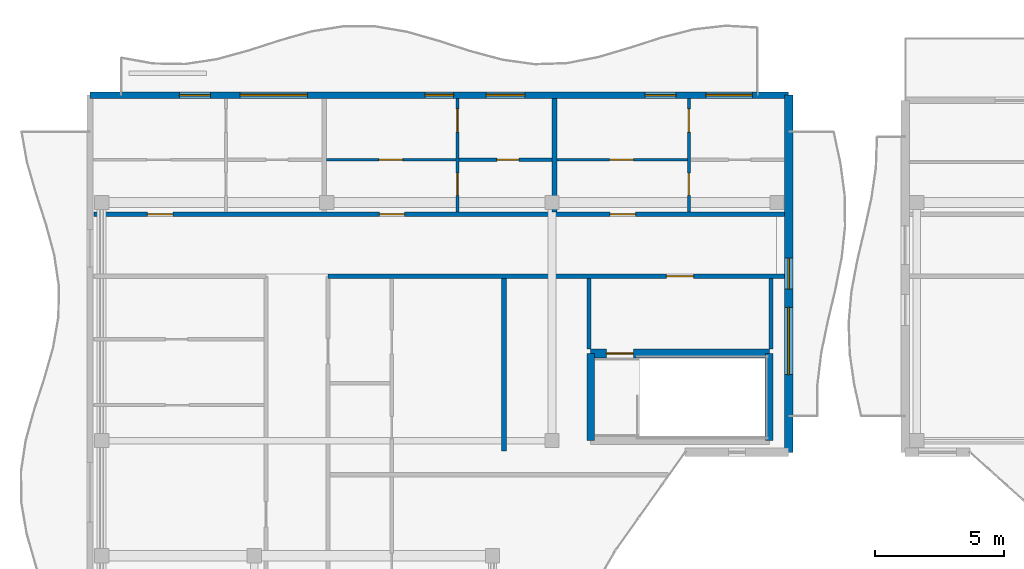
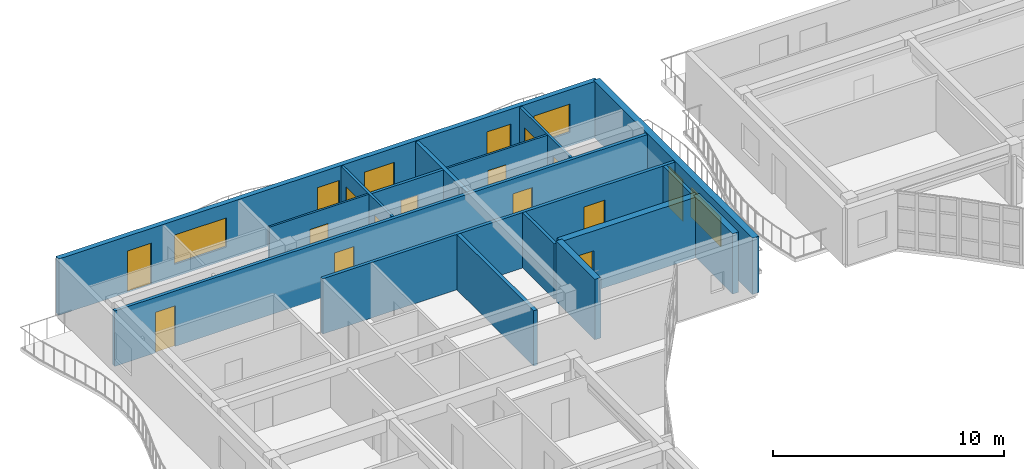
# One storey, part 33 of 68: 16 walls, 15 doors, 5 windows, 20 openings.
"""IFC4 building model written with IfcOpenShell, lengths in metres."""

from ifc_helpers import new_model, si_unit, direction, frame, frame_2d, origin, place, context, subcontext, project, spatial, rectangle, extrude, material, layer, layer_set, type_object, element, fill, save


model = new_model("IFC4")

# Units and contexts
model_context = context("Model", 3, precision=1e-05, world=origin(), true_north=direction((0.0, 1.0)))
body_context = subcontext(model_context, "Body", "Model", "MODEL_VIEW")
ifc_project = project(units=[si_unit("LENGTHUNIT", "METRE"), si_unit("AREAUNIT", "SQUARE_METRE"), si_unit("VOLUMEUNIT", "CUBIC_METRE"), si_unit("PLANEANGLEUNIT", "RADIAN"), si_unit("MASSUNIT", "GRAM", prefix="KILO")], contexts=[model_context])

# Site, building, storey
site_placement = place(None, origin())
site = spatial("IfcSite", under=ifc_project, at=site_placement, CompositionType="ELEMENT")
building_placement = place(site_placement, origin())
building = spatial("IfcBuilding", under=site, at=building_placement, Name="Keldmere Railside Commons", CompositionType="ELEMENT")
storey_placement = place(building_placement, frame((0.0, 0.0, 23.360107421875)))
storey = spatial("IfcBuildingStorey", under=building, at=storey_placement, Name="L07", CompositionType="ELEMENT", Elevation=23.360107421875)

# Walls
ifc_material_1 = material(Name="Acoustic Gypsum Board Partition", Category="gypsum")
ifc_layer_1 = layer(ifc_material_1, 0.179931640625, Name="Acoustic Demising Partition 180")
ifc_layer_set_1 = layer_set([ifc_layer_1], Name="Acoustic Gypsum Board Partition")
wall_type_1 = type_object("IfcWallType", Name="Acoustic Demising Partition 180", PredefinedType="PARTITIONING", material=ifc_layer_set_1)
wall_1_placement = place(storey_placement, frame((24.0, 100.050048828125, 0.0), z_axis=(0.0, 0.0, 1.0), x_axis=(0.0, 1.0, 0.0)))
element("IfcWall", 1, at=wall_1_placement, inside=storey, type_object=wall_type_1, Name="IW-1 IW-L07-0449", PredefinedType="PARTITIONING", context=body_context, shape_type="SweptSolid", body=[
    extrude(rectangle(XDim=6.669921875, YDim=0.179931640625, at=frame_2d((3.3349609375, 0.0))), origin(), (0.0, 0.0, 1.0), 2.934814453125),
])
wall_2_placement = place(storey_placement, frame((25.949951171875, 109.280029296875, 0.0), z_axis=(0.0, 0.0, 1.0), x_axis=(0.0, 1.0, 0.0)))
element("IfcWall", 2, at=wall_2_placement, inside=storey, type_object=wall_type_1, Name="IW-1 IW-L07-0468", PredefinedType="PARTITIONING", context=body_context, shape_type="SweptSolid", body=[
    extrude(rectangle(XDim=4.39990234375, YDim=0.179931640625, at=frame_2d((2.199951171875, 0.0))), origin(), (0.0, 0.0, 1.0), 2.934814453125),
])

# Wall, openings, doors
ifc_layer_2 = layer(ifc_material_1, 0.1201171875, Name="Apartment Interior Partition 120")
ifc_layer_set_2 = layer_set([ifc_layer_2], Name="Acoustic Gypsum Board Partition")
wall_type_2 = type_object("IfcWallType", Name="Apartment Interior Partition 120", PredefinedType="PARTITIONING", material=ifc_layer_set_2)
wall_3_placement = place(storey_placement, frame((22.199951171875, 109.280029296875, 0.0), z_axis=(0.0, 0.0, 1.0), x_axis=(0.0, 1.0, 0.0)))
wall_3 = element("IfcWall", 3, at=wall_3_placement, inside=storey, type_object=wall_type_2, Name="IW-4 IW-L07-0472", PredefinedType="PARTITIONING", context=body_context, shape_type="SweptSolid", body=[
    extrude(rectangle(XDim=4.39990234375, YDim=0.1201171875, at=frame_2d((2.199951171875, 0.0))), origin(), (0.0, 0.0, 1.0), 2.934814453125),
])
opening_1_placement = place(wall_3_placement, frame((0.646484375, 0.0, 0.0)))
opening_1 = element("IfcOpeningElement", 4, at=opening_1_placement, cuts=wall_3, Name="Opening ID-04", PredefinedType="OPENING", context=body_context, shape_type="SweptSolid", body=[
    extrude(rectangle(XDim=0.860107421875, YDim=2.10009765625, at=frame_2d((0.43017578125, 1.050048828125))), frame((0.0, 0.070068359375, 0.0), z_axis=(0.0, -1.0, 0.0), x_axis=(1.0, 0.0, 0.0)), (0.0, 0.0, 1.0), 0.14013671875),
])
opening_2_placement = place(wall_3_placement, frame((3.091064453125, 0.0, 0.0)))
opening_2 = element("IfcOpeningElement", 5, at=opening_2_placement, cuts=wall_3, Name="Opening ID-01", PredefinedType="OPENING", context=body_context, shape_type="SweptSolid", body=[
    extrude(rectangle(XDim=0.89990234375, YDim=2.10009765625, at=frame_2d((0.449951171875, 1.050048828125))), frame((0.0, 0.070068359375, 0.0), z_axis=(0.0, -1.0, 0.0), x_axis=(1.0, 0.0, 0.0)), (0.0, 0.0, 1.0), 0.14013671875),
])
ifc_material_2 = material(Name="Engineered Oak Timber", Category="wood")
door_type_1 = type_object("IfcDoorType", Name="Apartment Bathroom Door 860x2100", OperationType="NOTDEFINED", PredefinedType="DOOR", material=ifc_material_2)
door_1_placement = place(opening_1_placement, origin())
door_1 = element("IfcDoor", 6, at=door_1_placement, inside=storey, type_object=door_type_1, Name="ID-04 IDR-L07-0372", OperationType="SINGLE_SWING_RIGHT", OverallHeight=2.10009765625, OverallWidth=0.860107421875, PredefinedType="DOOR", context=body_context, shape_type="SweptSolid", body=[
    extrude(rectangle(XDim=0.860107421875, YDim=2.10009765625, at=frame_2d((0.43017578125, 1.050048828125))), frame((0.0, 0.02490234375, 0.0), z_axis=(0.0, -1.0, 0.0), x_axis=(1.0, 0.0, 0.0)), (0.0, 0.0, 1.0), 0.050048828125),
])
fill(opening_1, door_1)
door_type_2 = type_object("IfcDoorType", Name="Primary Bedroom Door 900x2100", OperationType="NOTDEFINED", PredefinedType="DOOR", material=ifc_material_2)
door_2_placement = place(opening_2_placement, origin())
door_2 = element("IfcDoor", 7, at=door_2_placement, inside=storey, type_object=door_type_2, Name="ID-01 IDR-L07-0373", OperationType="SINGLE_SWING_LEFT", OverallHeight=2.10009765625, OverallWidth=0.89990234375, PredefinedType="DOOR", context=body_context, shape_type="SweptSolid", body=[
    extrude(rectangle(XDim=0.89990234375, YDim=2.10009765625, at=frame_2d((0.449951171875, 1.050048828125))), frame((0.0, 0.02490234375, 0.0), z_axis=(0.0, -1.0, 0.0), x_axis=(1.0, 0.0, 0.0)), (0.0, 0.0, 1.0), 0.050048828125),
])
fill(opening_2, door_2)

wall_4_placement = place(storey_placement, frame((31.139892578125, 109.280029296875, 0.0), z_axis=(0.0, 0.0, 1.0), x_axis=(0.0, 1.0, 0.0)))
wall_4 = element("IfcWall", 8, at=wall_4_placement, inside=storey, type_object=wall_type_2, Name="IW-4 IW-L07-0475", PredefinedType="PARTITIONING", context=body_context, shape_type="SweptSolid", body=[
    extrude(rectangle(XDim=4.39990234375, YDim=0.1201171875, at=frame_2d((2.199951171875, 0.0))), origin(), (0.0, 0.0, 1.0), 2.934814453125),
])
opening_3_placement = place(wall_4_placement, frame((0.646484375, 0.0, 0.0)))
opening_3 = element("IfcOpeningElement", 9, at=opening_3_placement, cuts=wall_4, Name="Opening ID-04", PredefinedType="OPENING", context=body_context, shape_type="SweptSolid", body=[
    extrude(rectangle(XDim=0.860107421875, YDim=2.10009765625, at=frame_2d((0.43017578125, 1.050048828125))), frame((0.0, 0.070068359375, 0.0), z_axis=(0.0, -1.0, 0.0), x_axis=(1.0, 0.0, 0.0)), (0.0, 0.0, 1.0), 0.14013671875),
])
opening_4_placement = place(wall_4_placement, frame((3.091064453125, 0.0, 0.0)))
opening_4 = element("IfcOpeningElement", 10, at=opening_4_placement, cuts=wall_4, Name="Opening ID-01", PredefinedType="OPENING", context=body_context, shape_type="SweptSolid", body=[
    extrude(rectangle(XDim=0.89990234375, YDim=2.10009765625, at=frame_2d((0.449951171875, 1.050048828125))), frame((0.0, 0.070068359375, 0.0), z_axis=(0.0, -1.0, 0.0), x_axis=(1.0, 0.0, 0.0)), (0.0, 0.0, 1.0), 0.14013671875),
])
door_3_placement = place(opening_3_placement, origin())
door_3 = element("IfcDoor", 11, at=door_3_placement, inside=storey, type_object=door_type_1, Name="ID-04 IDR-L07-0377", OperationType="SINGLE_SWING_LEFT", OverallHeight=2.10009765625, OverallWidth=0.860107421875, PredefinedType="DOOR", context=body_context, shape_type="SweptSolid", body=[
    extrude(rectangle(XDim=0.860107421875, YDim=2.10009765625, at=frame_2d((0.43017578125, 1.050048828125))), frame((0.0, 0.02490234375, 0.0), z_axis=(0.0, -1.0, 0.0), x_axis=(1.0, 0.0, 0.0)), (0.0, 0.0, 1.0), 0.050048828125),
])
fill(opening_3, door_3)
door_4_placement = place(opening_4_placement, origin())
door_4 = element("IfcDoor", 12, at=door_4_placement, inside=storey, type_object=door_type_2, Name="ID-01 IDR-L07-0378", OperationType="SINGLE_SWING_RIGHT", OverallHeight=2.10009765625, OverallWidth=0.89990234375, PredefinedType="DOOR", context=body_context, shape_type="SweptSolid", body=[
    extrude(rectangle(XDim=0.89990234375, YDim=2.10009765625, at=frame_2d((0.449951171875, 1.050048828125))), frame((0.0, 0.02490234375, 0.0), z_axis=(0.0, -1.0, 0.0), x_axis=(1.0, 0.0, 0.0)), (0.0, 0.0, 1.0), 0.050048828125),
])
fill(opening_4, door_4)

# Wall, opening, door
ifc_layer_3 = layer(ifc_material_1, 0.10009765625, Name="Closet Light Partition 100")
ifc_layer_set_3 = layer_set([ifc_layer_3], Name="Acoustic Gypsum Board Partition")
wall_type_3 = type_object("IfcWallType", Name="Closet Light Partition 100", PredefinedType="PARTITIONING", material=ifc_layer_set_3)
wall_5_placement = place(storey_placement, frame((17.139892578125, 111.300048828125, 0.0), z_axis=(0.0, 0.0, 1.0), x_axis=(1.0, 0.0, 0.0)))
wall_5 = element("IfcWall", 13, at=wall_5_placement, inside=storey, type_object=wall_type_3, Name="IW-6 IW-L07-0474", PredefinedType="PARTITIONING", context=body_context, shape_type="SweptSolid", body=[
    extrude(rectangle(XDim=5.0, YDim=0.10009765625, at=frame_2d((2.5, 0.0))), origin(), (0.0, 0.0, 1.0), 2.934814453125),
])
opening_5_placement = place(wall_5_placement, frame((2.02392578125, 0.0, 0.0)))
opening_5 = element("IfcOpeningElement", 14, at=opening_5_placement, cuts=wall_5, Name="Opening ID-03", PredefinedType="OPENING", context=body_context, shape_type="SweptSolid", body=[
    extrude(rectangle(XDim=0.919921875, YDim=2.10009765625, at=frame_2d((0.4599609375, 1.050048828125))), frame((0.0, 0.06005859375, 0.0), z_axis=(0.0, -1.0, 0.0), x_axis=(1.0, 0.0, 0.0)), (0.0, 0.0, 1.0), 0.1201171875),
])
door_type_3 = type_object("IfcDoorType", Name="Kitchen Pocket-Frame Swing Door 920x2100", OperationType="NOTDEFINED", PredefinedType="DOOR", material=ifc_material_2)
door_5_placement = place(opening_5_placement, origin())
door_5 = element("IfcDoor", 15, at=door_5_placement, inside=storey, type_object=door_type_3, Name="ID-03 IDR-L07-0371", OperationType="SINGLE_SWING_LEFT", OverallHeight=2.10009765625, OverallWidth=0.919921875, PredefinedType="DOOR", context=body_context, shape_type="SweptSolid", body=[
    extrude(rectangle(XDim=0.919921875, YDim=2.10009765625, at=frame_2d((0.4599609375, 1.050048828125))), frame((0.0, 0.02490234375, 0.0), z_axis=(0.0, -1.0, 0.0), x_axis=(1.0, 0.0, 0.0)), (0.0, 0.0, 1.0), 0.050048828125),
])
fill(opening_5, door_5)

wall_6_placement = place(storey_placement, frame((26.0400390625, 111.300048828125, 0.0), z_axis=(0.0, 0.0, 1.0), x_axis=(1.0, 0.0, 0.0)))
wall_6 = element("IfcWall", 16, at=wall_6_placement, inside=storey, type_object=wall_type_3, Name="IW-6 IW-L07-0477", PredefinedType="PARTITIONING", context=body_context, shape_type="SweptSolid", body=[
    extrude(rectangle(XDim=5.0400390625, YDim=0.10009765625, at=frame_2d((2.52001953125, 0.0))), origin(), (0.0, 0.0, 1.0), 2.934814453125),
])
opening_6_placement = place(wall_6_placement, frame((2.0400390625, 0.0, 0.0)))
opening_6 = element("IfcOpeningElement", 17, at=opening_6_placement, cuts=wall_6, Name="Opening ID-03", PredefinedType="OPENING", context=body_context, shape_type="SweptSolid", body=[
    extrude(rectangle(XDim=0.919921875, YDim=2.10009765625, at=frame_2d((0.4599609375, 1.050048828125))), frame((0.0, 0.06005859375, 0.0), z_axis=(0.0, -1.0, 0.0), x_axis=(1.0, 0.0, 0.0)), (0.0, 0.0, 1.0), 0.1201171875),
])
door_6_placement = place(opening_6_placement, origin())
door_6 = element("IfcDoor", 18, at=door_6_placement, inside=storey, type_object=door_type_3, Name="ID-03 IDR-L07-0376", OperationType="SINGLE_SWING_RIGHT", OverallHeight=2.10009765625, OverallWidth=0.919921875, PredefinedType="DOOR", context=body_context, shape_type="SweptSolid", body=[
    extrude(rectangle(XDim=0.919921875, YDim=2.10009765625, at=frame_2d((0.4599609375, 1.050048828125))), frame((0.0, 0.02490234375, 0.0), z_axis=(0.0, -1.0, 0.0), x_axis=(1.0, 0.0, 0.0)), (0.0, 0.0, 1.0), 0.050048828125),
])
fill(opening_6, door_6)

ifc_layer_4 = layer(ifc_material_1, 0.159912109375, Name="Corridor Fire Partition 160")
ifc_layer_set_4 = layer_set([ifc_layer_4], Name="Acoustic Gypsum Board Partition")
wall_type_4 = type_object("IfcWallType", Name="Corridor Fire Partition 160", PredefinedType="PARTITIONING", material=ifc_layer_set_4)
wall_7_placement = place(storey_placement, frame((17.199951171875, 106.800048828125, 0.0), z_axis=(0.0, 0.0, 1.0), x_axis=(1.0, 0.0, 0.0)))
wall_7 = element("IfcWall", 19, at=wall_7_placement, inside=storey, type_object=wall_type_4, Name="IW-2 IW-L07-0447", PredefinedType="PARTITIONING", context=body_context, shape_type="SweptSolid", body=[
    extrude(rectangle(XDim=17.64013671875, YDim=0.159912109375, at=frame_2d((8.820068359375, 0.0))), origin(), (0.0, 0.0, 1.0), 2.934814453125),
])
opening_7_placement = place(wall_7_placement, frame((13.074951171875, 0.0, 0.0)))
opening_7 = element("IfcOpeningElement", 20, at=opening_7_placement, cuts=wall_7, Name="Opening FD-1", PredefinedType="OPENING", context=body_context, shape_type="SweptSolid", body=[
    extrude(rectangle(XDim=1.050048828125, YDim=2.14990234375, at=frame_2d((0.52490234375, 1.074951171875))), frame((0.0, 0.08984375, 0.0), z_axis=(0.0, -1.0, 0.0), x_axis=(1.0, 0.0, 0.0)), (0.0, 0.0, 1.0), 0.179931640625),
])
ifc_material_3 = material(Name="Steel F-24 (S235)", Category="steel")
door_type_4 = type_object("IfcDoorType", Name="Stair Core Fire Door 1050x2150", OperationType="NOTDEFINED", PredefinedType="DOOR", material=ifc_material_3)
door_7_placement = place(opening_7_placement, origin())
door_7 = element("IfcDoor", 21, at=door_7_placement, inside=storey, type_object=door_type_4, Name="FD-1 IDR-L07-0346", OperationType="SINGLE_SWING_RIGHT", OverallHeight=2.14990234375, OverallWidth=1.050048828125, PredefinedType="DOOR", context=body_context, shape_type="SweptSolid", body=[
    extrude(rectangle(XDim=1.050048828125, YDim=2.14990234375, at=frame_2d((0.52490234375, 1.074951171875))), frame((0.0, 0.02490234375, 0.0), z_axis=(0.0, -1.0, 0.0), x_axis=(1.0, 0.0, 0.0)), (0.0, 0.0, 1.0), 0.050048828125),
])
fill(opening_7, door_7)

# Wall, openings, doors
wall_8_placement = place(storey_placement, frame((8.159912109375, 109.199951171875, 0.0), z_axis=(0.0, 0.0, 1.0), x_axis=(1.0, 0.0, 0.0)))
wall_8 = element("IfcWall", 22, at=wall_8_placement, inside=storey, type_object=wall_type_4, Name="IW-2 IW-L07-0448", PredefinedType="PARTITIONING", context=body_context, shape_type="SweptSolid", body=[
    extrude(rectangle(XDim=26.68017578125, YDim=0.159912109375, at=frame_2d((13.340087890625, 0.0))), origin(), (0.0, 0.0, 1.0), 2.934814453125),
])
opening_8_placement = place(wall_8_placement, frame((2.06005859375, 0.0, 0.0)))
opening_8 = element("IfcOpeningElement", 23, at=opening_8_placement, cuts=wall_8, Name="Opening FD-7", PredefinedType="OPENING", context=body_context, shape_type="SweptSolid", body=[
    extrude(rectangle(XDim=0.97998046875, YDim=2.14990234375, at=frame_2d((0.489990234375, 1.074951171875))), frame((0.0, 0.08984375, 0.0), z_axis=(0.0, -1.0, 0.0), x_axis=(1.0, 0.0, 0.0)), (0.0, 0.0, 1.0), 0.179931640625),
])
opening_9_placement = place(wall_8_placement, frame((11.02001953125, 0.0, 0.0)))
opening_9 = element("IfcOpeningElement", 24, at=opening_9_placement, cuts=wall_8, Name="Opening FD-7", PredefinedType="OPENING", context=body_context, shape_type="SweptSolid", body=[
    extrude(rectangle(XDim=0.97998046875, YDim=2.14990234375, at=frame_2d((0.489990234375, 1.074951171875))), frame((0.0, 0.08984375, 0.0), z_axis=(0.0, -1.0, 0.0), x_axis=(1.0, 0.0, 0.0)), (0.0, 0.0, 1.0), 0.179931640625),
])
opening_10_placement = place(wall_8_placement, frame((19.93994140625, 0.0, 0.0)))
opening_10 = element("IfcOpeningElement", 25, at=opening_10_placement, cuts=wall_8, Name="Opening FD-7", PredefinedType="OPENING", context=body_context, shape_type="SweptSolid", body=[
    extrude(rectangle(XDim=0.97998046875, YDim=2.14990234375, at=frame_2d((0.489990234375, 1.074951171875))), frame((0.0, 0.08984375, 0.0), z_axis=(0.0, -1.0, 0.0), x_axis=(1.0, 0.0, 0.0)), (0.0, 0.0, 1.0), 0.179931640625),
])
door_type_5 = type_object("IfcDoorType", Name="Apartment Entrance Acoustic Fire Door 980x2150", OperationType="NOTDEFINED", PredefinedType="DOOR", material=ifc_material_2)
door_8_placement = place(opening_8_placement, origin())
door_8 = element("IfcDoor", 26, at=door_8_placement, inside=storey, type_object=door_type_5, Name="FD-7 IDR-L07-0365", OperationType="SINGLE_SWING_LEFT", OverallHeight=2.14990234375, OverallWidth=0.97998046875, PredefinedType="DOOR", context=body_context, shape_type="SweptSolid", body=[
    extrude(rectangle(XDim=0.97998046875, YDim=2.14990234375, at=frame_2d((0.489990234375, 1.074951171875))), frame((0.0, 0.02490234375, 0.0), z_axis=(0.0, -1.0, 0.0), x_axis=(1.0, 0.0, 0.0)), (0.0, 0.0, 1.0), 0.050048828125),
])
fill(opening_8, door_8)
door_9_placement = place(opening_9_placement, origin())
door_9 = element("IfcDoor", 27, at=door_9_placement, inside=storey, type_object=door_type_5, Name="FD-7 IDR-L07-0370", OperationType="SINGLE_SWING_RIGHT", OverallHeight=2.14990234375, OverallWidth=0.97998046875, PredefinedType="DOOR", context=body_context, shape_type="SweptSolid", body=[
    extrude(rectangle(XDim=0.97998046875, YDim=2.14990234375, at=frame_2d((0.489990234375, 1.074951171875))), frame((0.0, 0.02490234375, 0.0), z_axis=(0.0, -1.0, 0.0), x_axis=(1.0, 0.0, 0.0)), (0.0, 0.0, 1.0), 0.050048828125),
])
fill(opening_9, door_9)
door_10_placement = place(opening_10_placement, origin())
door_10 = element("IfcDoor", 28, at=door_10_placement, inside=storey, type_object=door_type_5, Name="FD-7 IDR-L07-0375", OperationType="SINGLE_SWING_LEFT", OverallHeight=2.14990234375, OverallWidth=0.97998046875, PredefinedType="DOOR", context=body_context, shape_type="SweptSolid", body=[
    extrude(rectangle(XDim=0.97998046875, YDim=2.14990234375, at=frame_2d((0.489990234375, 1.074951171875))), frame((0.0, 0.02490234375, 0.0), z_axis=(0.0, -1.0, 0.0), x_axis=(1.0, 0.0, 0.0)), (0.0, 0.0, 1.0), 0.050048828125),
])
fill(opening_10, door_10)

# Wall, openings, door, window
ifc_material_4 = material(Name="Concrete H-35 (C35/45)", Category="concrete")
ifc_layer_5 = layer(ifc_material_4, 0.320068359375, Name="Exterior Shear Wall 320")
ifc_layer_set_5 = layer_set([ifc_layer_5], Name="Concrete H-35 (C35/45)")
wall_type_5 = type_object("IfcWallType", Name="Exterior Shear Wall 320", PredefinedType="SHEAR", material=ifc_layer_set_5)
wall_9_placement = place(storey_placement, frame((35.0, 113.800048828125, 0.0), z_axis=(0.0, 0.0, 1.0), x_axis=(0.0, -1.0, 0.0)))
wall_9 = element("IfcWall", 29, at=wall_9_placement, inside=storey, type_object=wall_type_5, Name="ESW-2 EXTD-L07-0173", PredefinedType="SHEAR", context=body_context, shape_type="SweptSolid", body=[
    extrude(rectangle(XDim=13.800048828125, YDim=0.320068359375, at=frame_2d((6.89990234375, 0.0))), origin(), (0.0, 0.0, 1.0), 2.97998046875),
])
opening_11_placement = place(wall_9_placement, frame((6.300048828125, 0.0, 0.0)))
opening_11 = element("IfcOpeningElement", 30, at=opening_11_placement, cuts=wall_9, Name="Opening BD-01", PredefinedType="OPENING", context=body_context, shape_type="SweptSolid", body=[
    extrude(rectangle(XDim=1.199951171875, YDim=2.199951171875, at=frame_2d((0.60009765625, 1.10009765625))), frame((0.0, 0.169921875, 0.0), z_axis=(0.0, -1.0, 0.0), x_axis=(1.0, 0.0, 0.0)), (0.0, 0.0, 1.0), 0.340087890625),
])
opening_12_placement = place(wall_9_placement, frame((8.199951171875, 0.0, 0.669921875)))
opening_12 = element("IfcOpeningElement", 31, at=opening_12_placement, cuts=wall_9, Name="Opening WN-39", PredefinedType="OPENING", context=body_context, shape_type="SweptSolid", body=[
    extrude(rectangle(XDim=2.60009765625, YDim=1.550048828125, at=frame_2d((1.300048828125, 0.77490234375))), frame((0.0, 0.169921875, 0.0), z_axis=(0.0, -1.0, 0.0), x_axis=(1.0, 0.0, 0.0)), (0.0, 0.0, 1.0), 0.340087890625),
])
ifc_material_5 = material(Name="Thermally Broken Aluminium", Category="aluminium")
door_type_6 = type_object("IfcDoorType", Name="Apartment Living Wave-Balcony Glazed Door 1200x2200", OperationType="NOTDEFINED", PredefinedType="DOOR", material=ifc_material_5)
door_11_placement = place(opening_11_placement, origin())
door_11 = element("IfcDoor", 32, at=door_11_placement, inside=storey, type_object=door_type_6, Name="BD-01 DR-L07-0044", OperationType="SINGLE_SWING_RIGHT", OverallHeight=2.199951171875, OverallWidth=1.199951171875, PredefinedType="DOOR", context=body_context, shape_type="SweptSolid", body=[
    extrude(rectangle(XDim=1.199951171875, YDim=2.199951171875, at=frame_2d((0.60009765625, 1.10009765625))), frame((0.0, 0.02490234375, 0.0), z_axis=(0.0, -1.0, 0.0), x_axis=(1.0, 0.0, 0.0)), (0.0, 0.0, 1.0), 0.050048828125),
])
fill(opening_11, door_11)
ifc_material_6 = material(Name="Low-E Insulated Double Glazing", Category="glass")
window_type_1 = type_object("IfcWindowType", Name="Three-Bed Corner Living Window 2600x1550", PartitioningType="SINGLE_PANEL", PredefinedType="WINDOW", material=ifc_material_6)
window_1_placement = place(opening_12_placement, origin())
window_1 = element("IfcWindow", 33, at=window_1_placement, inside=storey, type_object=window_type_1, Name="WN-39 WIN-L07-0136", OverallHeight=1.550048828125, OverallWidth=2.60009765625, PartitioningType="SINGLE_PANEL", PredefinedType="WINDOW", context=body_context, shape_type="SweptSolid", body=[
    extrude(rectangle(XDim=2.60009765625, YDim=1.550048828125, at=frame_2d((1.300048828125, 0.77490234375))), frame((0.0, 0.030029296875, 0.0), z_axis=(0.0, -1.0, 0.0), x_axis=(1.0, 0.0, 0.0)), (0.0, 0.0, 1.0), 0.06005859375),
])
fill(opening_12, window_1)

# Walls
ifc_layer_6 = layer(ifc_material_4, 0.300048828125, Name="Interior Shear Wall 300")
ifc_layer_set_6 = layer_set([ifc_layer_6], Name="Concrete H-35 (C35/45)")
wall_type_6 = type_object("IfcWallType", Name="Interior Shear Wall 300", PredefinedType="SHEAR", material=ifc_layer_set_6)
for number, where, z_axis, x_axis, name in (
    (34, (27.35009765625, 103.820068359375, 0.0), (0.0, 0.0, 1.0), (0.0, -1.0, 0.0), "ISW-2 CORED2W-L07-0121"),
    (35, (34.25, 100.449951171875, 0.0), (0.0, 0.0, 1.0), (0.0, 1.0, 0.0), "ISW-2 CORED2E-L07-0122"),
):
    element("IfcWall", number, at=place(storey_placement, frame(where, z_axis=z_axis, x_axis=x_axis)), inside=storey, type_object=wall_type_6, Name=name, PredefinedType="SHEAR", context=body_context, shape_type="SweptSolid", body=[
        extrude(rectangle(XDim=3.3701171875, YDim=0.300048828125, at=frame_2d((1.68505859375, 0.0))), origin(), (0.0, 0.0, 1.0), 3.199951171875),
    ])

# Wall, opening, door
ifc_layer_7 = layer(ifc_material_4, 0.340087890625, Name="Interior Shear Wall 340")
ifc_layer_set_7 = layer_set([ifc_layer_7], Name="Concrete H-35 (C35/45)")
wall_type_7 = type_object("IfcWallType", Name="Interior Shear Wall 340", PredefinedType="SHEAR", material=ifc_layer_set_7)
wall_10_placement = place(storey_placement, frame((34.25, 103.820068359375, 0.0), z_axis=(0.0, 0.0, 1.0), x_axis=(-1.0, 0.0, 0.0)))
wall_10 = element("IfcWall", 36, at=wall_10_placement, inside=storey, type_object=wall_type_7, Name="ISW-1 CORED2N-L07-0120", PredefinedType="SHEAR", context=body_context, shape_type="SweptSolid", body=[
    extrude(rectangle(XDim=6.89990234375, YDim=0.340087890625, at=frame_2d((3.449951171875, 0.0))), origin(), (0.0, 0.0, 1.0), 3.199951171875),
])
opening_13_placement = place(wall_10_placement, frame((5.25, 0.0, 0.0)))
opening_13 = element("IfcOpeningElement", 37, at=opening_13_placement, cuts=wall_10, Name="Opening FD-1", PredefinedType="OPENING", context=body_context, shape_type="SweptSolid", body=[
    extrude(rectangle(XDim=1.050048828125, YDim=2.14990234375, at=frame_2d((0.52490234375, 1.074951171875))), frame((0.0, 0.179931640625, 0.0), z_axis=(0.0, -1.0, 0.0), x_axis=(1.0, 0.0, 0.0)), (0.0, 0.0, 1.0), 0.360107421875),
])
door_12_placement = place(opening_13_placement, origin())
door_12 = element("IfcDoor", 38, at=door_12_placement, inside=storey, type_object=door_type_4, Name="FD-1 D2 L07", OperationType="SINGLE_SWING_RIGHT", OverallHeight=2.14990234375, OverallWidth=1.050048828125, PredefinedType="DOOR", context=body_context, shape_type="SweptSolid", body=[
    extrude(rectangle(XDim=1.050048828125, YDim=2.14990234375, at=frame_2d((0.52490234375, 1.074951171875))), frame((0.0, 0.02490234375, 0.0), z_axis=(0.0, -1.0, 0.0), x_axis=(1.0, 0.0, 0.0)), (0.0, 0.0, 1.0), 0.050048828125),
])
fill(opening_13, door_12)

# Walls
ifc_layer_8 = layer(ifc_material_1, 0.14990234375, Name="Lobby Rated Partition 150")
ifc_layer_set_8 = layer_set([ifc_layer_8], Name="Acoustic Gypsum Board Partition")
wall_type_8 = type_object("IfcWallType", Name="Lobby Rated Partition 150", PredefinedType="PARTITIONING", material=ifc_layer_set_8)
for number, where, z_axis, x_axis, name in (
    (39, (27.280029296875, 103.989990234375, 0.0), (0.0, 0.0, 1.0), (0.0, 1.0, 0.0), "IW-3 IW-L07-0450"),
    (40, (34.320068359375, 103.989990234375, 0.0), (0.0, 0.0, 1.0), (0.0, 1.0, 0.0), "IW-3 IW-L07-0451"),
):
    element("IfcWall", number, at=place(storey_placement, frame(where, z_axis=z_axis, x_axis=x_axis)), inside=storey, type_object=wall_type_8, Name=name, PredefinedType="PARTITIONING", context=body_context, shape_type="SweptSolid", body=[
        extrude(rectangle(XDim=2.72998046875, YDim=0.14990234375, at=frame_2d((1.364990234375, 0.0))), origin(), (0.0, 0.0, 1.0), 2.934814453125),
    ])

# Wall, openings, doors, windows
ifc_material_7 = material(Name="Architectural Precast Concrete H-35 (C35/45)", Category="concrete")
ifc_layer_9 = layer(ifc_material_7, 0.239990234375, Name="Sand-Ochre Precast Cavity Wall 240")
ifc_layer_set_9 = layer_set([ifc_layer_9], Name="Architectural Precast Concrete H-35 (C35/45)")
wall_type_9 = type_object("IfcWallType", Name="Sand-Ochre Precast Cavity Wall 240", PredefinedType="SOLIDWALL", material=ifc_layer_set_9)
wall_11_placement = place(storey_placement, frame((8.0, 113.800048828125, 0.0), z_axis=(0.0, 0.0, 1.0), x_axis=(1.0, 0.0, 0.0)))
wall_11 = element("IfcWall", 41, at=wall_11_placement, inside=storey, type_object=wall_type_9, Name="EW-2 EXTD-L07-0174", PredefinedType="SOLIDWALL", context=body_context, shape_type="SweptSolid", body=[
    extrude(rectangle(XDim=27.0, YDim=0.239990234375, at=frame_2d((13.5, 0.0))), origin(), (0.0, 0.0, 1.0), 2.97998046875),
])
opening_14_placement = place(wall_11_placement, frame((3.449951171875, 0.0, 0.0)))
opening_14 = element("IfcOpeningElement", 42, at=opening_14_placement, cuts=wall_11, Name="Opening BD-01", PredefinedType="OPENING", context=body_context, shape_type="SweptSolid", body=[
    extrude(rectangle(XDim=1.199951171875, YDim=2.199951171875, at=frame_2d((0.60009765625, 1.10009765625))), frame((0.0, 0.1298828125, 0.0), z_axis=(0.0, -1.0, 0.0), x_axis=(1.0, 0.0, 0.0)), (0.0, 0.0, 1.0), 0.260009765625),
])
opening_15_placement = place(wall_11_placement, frame((5.800048828125, 0.0, 0.669921875)))
opening_15 = element("IfcOpeningElement", 43, at=opening_15_placement, cuts=wall_11, Name="Opening WN-39", PredefinedType="OPENING", context=body_context, shape_type="SweptSolid", body=[
    extrude(rectangle(XDim=2.60009765625, YDim=1.550048828125, at=frame_2d((1.300048828125, 0.77490234375))), frame((0.0, 0.1298828125, 0.0), z_axis=(0.0, -1.0, 0.0), x_axis=(1.0, 0.0, 0.0)), (0.0, 0.0, 1.0), 0.260009765625),
])
opening_16_placement = place(wall_11_placement, frame((12.949951171875, 0.0, 0.6201171875)))
opening_16 = element("IfcOpeningElement", 44, at=opening_16_placement, cuts=wall_11, Name="Opening WN-16", PredefinedType="OPENING", context=body_context, shape_type="SweptSolid", body=[
    extrude(rectangle(XDim=1.10009765625, YDim=1.60009765625, at=frame_2d((0.550048828125, 0.800048828125))), frame((0.0, 0.1298828125, 0.0), z_axis=(0.0, -1.0, 0.0), x_axis=(1.0, 0.0, 0.0)), (0.0, 0.0, 1.0), 0.260009765625),
])
opening_17_placement = place(wall_11_placement, frame((21.449951171875, 0.0, 0.0)))
opening_17 = element("IfcOpeningElement", 45, at=opening_17_placement, cuts=wall_11, Name="Opening BD-01", PredefinedType="OPENING", context=body_context, shape_type="SweptSolid", body=[
    extrude(rectangle(XDim=1.199951171875, YDim=2.199951171875, at=frame_2d((0.60009765625, 1.10009765625))), frame((0.0, 0.1298828125, 0.0), z_axis=(0.0, -1.0, 0.0), x_axis=(1.0, 0.0, 0.0)), (0.0, 0.0, 1.0), 0.260009765625),
])
opening_18_placement = place(wall_11_placement, frame((23.800048828125, 0.0, 0.719970703125)))
opening_18 = element("IfcOpeningElement", 46, at=opening_18_placement, cuts=wall_11, Name="Opening WN-01", PredefinedType="OPENING", context=body_context, shape_type="SweptSolid", body=[
    extrude(rectangle(XDim=1.800048828125, YDim=1.5, at=frame_2d((0.89990234375, 0.75))), frame((0.0, 0.1298828125, 0.0), z_axis=(0.0, -1.0, 0.0), x_axis=(1.0, 0.0, 0.0)), (0.0, 0.0, 1.0), 0.260009765625),
])
opening_19_placement = place(wall_11_placement, frame((15.304931640625, 0.0, 0.820068359375)))
opening_19 = element("IfcOpeningElement", 47, at=opening_19_placement, cuts=wall_11, Name="Opening WN-06", PredefinedType="OPENING", context=body_context, shape_type="SweptSolid", body=[
    extrude(rectangle(XDim=1.5, YDim=1.39990234375, at=frame_2d((0.75, 0.699951171875))), frame((0.0, 0.1298828125, 0.0), z_axis=(0.0, -1.0, 0.0), x_axis=(1.0, 0.0, 0.0)), (0.0, 0.0, 1.0), 0.260009765625),
])
door_13_placement = place(opening_14_placement, origin())
door_13 = element("IfcDoor", 48, at=door_13_placement, inside=storey, type_object=door_type_6, Name="BD-01 DR-L07-0045", OperationType="SINGLE_SWING_LEFT", OverallHeight=2.199951171875, OverallWidth=1.199951171875, PredefinedType="DOOR", context=body_context, shape_type="SweptSolid", body=[
    extrude(rectangle(XDim=1.199951171875, YDim=2.199951171875, at=frame_2d((0.60009765625, 1.10009765625))), frame((0.0, 0.02490234375, 0.0), z_axis=(0.0, -1.0, 0.0), x_axis=(1.0, 0.0, 0.0)), (0.0, 0.0, 1.0), 0.050048828125),
])
fill(opening_14, door_13)
door_14_placement = place(opening_17_placement, origin())
door_14 = element("IfcDoor", 49, at=door_14_placement, inside=storey, type_object=door_type_6, Name="BD-01 DR-L07-0046", OperationType="SINGLE_SWING_RIGHT", OverallHeight=2.199951171875, OverallWidth=1.199951171875, PredefinedType="DOOR", context=body_context, shape_type="SweptSolid", body=[
    extrude(rectangle(XDim=1.199951171875, YDim=2.199951171875, at=frame_2d((0.60009765625, 1.10009765625))), frame((0.0, 0.02490234375, 0.0), z_axis=(0.0, -1.0, 0.0), x_axis=(1.0, 0.0, 0.0)), (0.0, 0.0, 1.0), 0.050048828125),
])
fill(opening_17, door_14)
window_type_2 = type_object("IfcWindowType", Name="Corridor End Daylight Window 1100x1600", PartitioningType="SINGLE_PANEL", PredefinedType="WINDOW", material=ifc_material_6)
window_2_placement = place(opening_16_placement, origin())
window_2 = element("IfcWindow", 50, at=window_2_placement, inside=storey, type_object=window_type_2, Name="WN-16 WIN-L07-0138", OverallHeight=1.60009765625, OverallWidth=1.10009765625, PartitioningType="SINGLE_PANEL", PredefinedType="WINDOW", context=body_context, shape_type="SweptSolid", body=[
    extrude(rectangle(XDim=1.10009765625, YDim=1.60009765625, at=frame_2d((0.550048828125, 0.800048828125))), frame((0.0, 0.030029296875, 0.0), z_axis=(0.0, -1.0, 0.0), x_axis=(1.0, 0.0, 0.0)), (0.0, 0.0, 1.0), 0.06005859375),
])
fill(opening_16, window_2)
window_type_3 = type_object("IfcWindowType", Name="Living Room North Casement Window 1800x1500", PartitioningType="SINGLE_PANEL", PredefinedType="WINDOW", material=ifc_material_6)
window_3_placement = place(opening_18_placement, origin())
window_3 = element("IfcWindow", 51, at=window_3_placement, inside=storey, type_object=window_type_3, Name="WN-01 WIN-L07-0139", OverallHeight=1.5, OverallWidth=1.800048828125, PartitioningType="SINGLE_PANEL", PredefinedType="WINDOW", context=body_context, shape_type="SweptSolid", body=[
    extrude(rectangle(XDim=1.800048828125, YDim=1.5, at=frame_2d((0.89990234375, 0.75))), frame((0.0, 0.030029296875, 0.0), z_axis=(0.0, -1.0, 0.0), x_axis=(1.0, 0.0, 0.0)), (0.0, 0.0, 1.0), 0.06005859375),
])
fill(opening_18, window_3)
window_type_4 = type_object("IfcWindowType", Name="Primary Bedroom North Window 1500x1400", PartitioningType="SINGLE_PANEL", PredefinedType="WINDOW", material=ifc_material_6)
window_4_placement = place(opening_19_placement, origin())
window_4 = element("IfcWindow", 52, at=window_4_placement, inside=storey, type_object=window_type_4, Name="WN-06 WIN-L07-9058", OverallHeight=1.39990234375, OverallWidth=1.5, PartitioningType="SINGLE_PANEL", PredefinedType="WINDOW", context=body_context, shape_type="SweptSolid", body=[
    extrude(rectangle(XDim=1.5, YDim=1.39990234375, at=frame_2d((0.75, 0.699951171875))), frame((0.0, 0.030029296875, 0.0), z_axis=(0.0, -1.0, 0.0), x_axis=(1.0, 0.0, 0.0)), (0.0, 0.0, 1.0), 0.06005859375),
])
fill(opening_19, window_4)
window_5_placement = place(opening_15_placement, origin())
window_5 = element("IfcWindow", 53, at=window_5_placement, inside=storey, type_object=window_type_1, Name="WN-39 WIN-L07-0137", OverallHeight=1.550048828125, OverallWidth=2.60009765625, PartitioningType="SINGLE_PANEL", PredefinedType="WINDOW", context=body_context, shape_type="SweptSolid", body=[
    extrude(rectangle(XDim=2.60009765625, YDim=1.550048828125, at=frame_2d((1.300048828125, 0.77490234375))), frame((0.0, 0.030029296875, 0.0), z_axis=(0.0, -1.0, 0.0), x_axis=(1.0, 0.0, 0.0)), (0.0, 0.0, 1.0), 0.06005859375),
])
fill(opening_15, window_5)

# Wall, opening, door
ifc_layer_10 = layer(ifc_material_1, 0.139892578125, Name="Wet-Room Sanitary Partition 140")
ifc_layer_set_10 = layer_set([ifc_layer_10], Name="Acoustic Gypsum Board Partition")
wall_type_10 = type_object("IfcWallType", Name="Wet-Room Sanitary Partition 140", PredefinedType="PARTITIONING", material=ifc_layer_set_10)
wall_12_placement = place(storey_placement, frame((22.260009765625, 111.300048828125, 0.0), z_axis=(0.0, 0.0, 1.0), x_axis=(1.0, 0.0, 0.0)))
wall_12 = element("IfcWall", 54, at=wall_12_placement, inside=storey, type_object=wall_type_10, Name="IW-5 IW-L07-0473", PredefinedType="PARTITIONING", context=body_context, shape_type="SweptSolid", body=[
    extrude(rectangle(XDim=3.60009765625, YDim=0.139892578125, at=frame_2d((1.800048828125, 0.0))), origin(), (0.0, 0.0, 1.0), 2.934814453125),
])
opening_20_placement = place(wall_12_placement, frame((1.464111328125, 0.0, 0.0)))
opening_20 = element("IfcOpeningElement", 55, at=opening_20_placement, cuts=wall_12, Name="Opening ID-06", PredefinedType="OPENING", context=body_context, shape_type="SweptSolid", body=[
    extrude(rectangle(XDim=0.85009765625, YDim=2.050048828125, at=frame_2d((0.425048828125, 1.02490234375))), frame((0.0, 0.079833984375, 0.0), z_axis=(0.0, -1.0, 0.0), x_axis=(1.0, 0.0, 0.0)), (0.0, 0.0, 1.0), 0.159912109375),
])
door_type_7 = type_object("IfcDoorType", Name="Storage Closet Door 850x2050", OperationType="NOTDEFINED", PredefinedType="DOOR", material=ifc_material_2)
door_15_placement = place(opening_20_placement, origin())
door_15 = element("IfcDoor", 56, at=door_15_placement, inside=storey, type_object=door_type_7, Name="ID-06 IDR-L07-0374", OperationType="SINGLE_SWING_RIGHT", OverallHeight=2.050048828125, OverallWidth=0.85009765625, PredefinedType="DOOR", context=body_context, shape_type="SweptSolid", body=[
    extrude(rectangle(XDim=0.85009765625, YDim=2.050048828125, at=frame_2d((0.425048828125, 1.02490234375))), frame((0.0, 0.02490234375, 0.0), z_axis=(0.0, -1.0, 0.0), x_axis=(1.0, 0.0, 0.0)), (0.0, 0.0, 1.0), 0.050048828125),
])
fill(opening_20, door_15)

save(model, "model.ifc")
